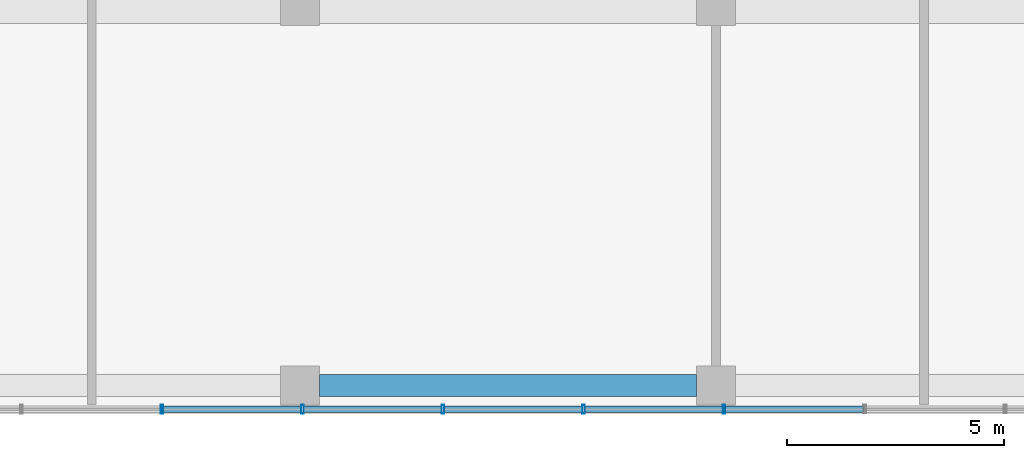
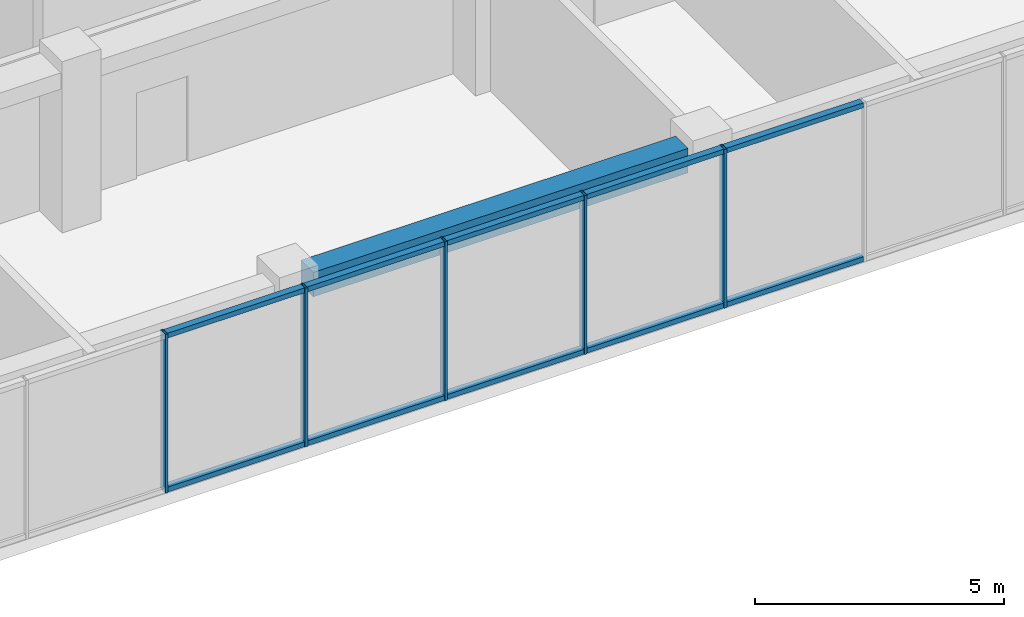
# One storey, part 4 of 36: 15 members, 1 beam, 1 element without a shape of its own.
"""IFC4 building model written with IfcOpenShell, lengths in metres."""

import ifcopenshell
import ifcopenshell.guid

model = None  # the IFC model being written
_history = None  # IfcOwnerHistory: only IFC2X3 demands one
_inside = {}  # id of a spatial element -> (the spatial element, [elements in it])
_under = {}  # id of a project, library or spatial element -> (it, [spatial elements below it])
_declared = {}  # id of a project -> (the project, [libraries it declares])
_typed = {}  # id of a type object -> (the type object, [elements of that type])
_made_of = {}  # id of a material, layer set ... -> (it, [elements and type objects made of it])


def new_model(schema):
    """Start an empty IFC model of exactly this schema.

    Asked for "IFC4X3", IfcOpenShell would pick the latest addendum, in which some entities
    have other attributes; the version numbers below select the first issue.
    IFC2X3 requires an IfcOwnerHistory on every rooted entity: one is made here for all.
    """
    global model, _history
    if schema == "IFC4X3":
        model = ifcopenshell.file(schema_version=(4, 3, 0, 0))
    else:
        model = ifcopenshell.file(schema=schema)
    _inside.clear()
    _under.clear()
    _declared.clear()
    _typed.clear()
    _made_of.clear()
    _history = None
    if model.schema == "IFC2X3":
        org = make("IfcOrganization", Name="unknown")
        user = make(
            "IfcPersonAndOrganization",
            ThePerson=make("IfcPerson", FamilyName="unknown"),
            TheOrganization=org,
        )
        app = make(
            "IfcApplication",
            ApplicationDeveloper=org,
            Version="unknown",
            ApplicationFullName="unknown",
            ApplicationIdentifier="unknown",
        )
        _history = make(
            "IfcOwnerHistory",
            OwningUser=user,
            OwningApplication=app,
            ChangeAction="ADDED",
            CreationDate=0,
        )
    return model


def make(cls, **values):
    """One entity of the class cls with the attributes given. An attribute that is None is left unset."""
    return model.create_entity(
        cls, **{name: value for name, value in values.items() if value is not None}
    )


def rooted(cls, **values):
    """An entity with a GlobalId (a new one), such as an element, a storey or a relation."""
    return make(cls, GlobalId=ifcopenshell.guid.new(), OwnerHistory=_history, **values)


def si_unit(unit_type, name, prefix=None):
    """IfcSIUnit, for example si_unit("LENGTHUNIT", "METRE", prefix="MILLI")."""
    return make("IfcSIUnit", UnitType=unit_type, Prefix=prefix, Name=name)


def assignment(units):
    """IfcUnitAssignment: the units of a project."""
    return None if units is None else make("IfcUnitAssignment", Units=units)


def point(xyz):
    """IfcCartesianPoint."""
    return None if xyz is None else make("IfcCartesianPoint", Coordinates=xyz)


def direction(xyz):
    """IfcDirection."""
    return None if xyz is None else make("IfcDirection", DirectionRatios=xyz)


def frame(location, z_axis=None, x_axis=None):
    """IfcAxis2Placement3D, a coordinate frame: its origin and axes. An axis left out is left unset."""
    return make(
        "IfcAxis2Placement3D",
        Location=point(location),
        Axis=direction(z_axis),
        RefDirection=direction(x_axis),
    )


def frame_2d(location, x_axis=None):
    """IfcAxis2Placement2D, a coordinate frame in the plane: its origin and x axis."""
    return make(
        "IfcAxis2Placement2D", Location=point(location), RefDirection=direction(x_axis)
    )


def origin():
    """The frame at (0, 0, 0) with its axes left unset."""
    return frame((0.0, 0.0, 0.0))


def origin_2d():
    """The frame at (0, 0) in the plane with its x axis left unset."""
    return frame_2d((0.0, 0.0))


def place(relative_to, where):
    """IfcLocalPlacement: puts the frame where relative to a parent placement (None: the world)."""
    return make(
        "IfcLocalPlacement", PlacementRelTo=relative_to, RelativePlacement=where
    )


def context(
    kind, dimensions, precision=None, world=None, true_north=None, identifier=None
):
    """IfcGeometricRepresentationContext, for example the 3D "Model" context."""
    return make(
        "IfcGeometricRepresentationContext",
        ContextIdentifier=identifier,
        ContextType=kind,
        CoordinateSpaceDimension=dimensions,
        Precision=precision,
        WorldCoordinateSystem=world,
        TrueNorth=true_north,
    )


def subcontext(parent, identifier, kind, view, scale=None):
    """IfcGeometricRepresentationSubContext, for example "Body" below "Model"."""
    return make(
        "IfcGeometricRepresentationSubContext",
        ContextIdentifier=identifier,
        ContextType=kind,
        ParentContext=parent,
        TargetScale=scale,
        TargetView=view,
    )


def project(units=None, contexts=None):
    """IfcProject with its units and contexts."""
    return rooted(
        "IfcProject",
        Name="project",
        RepresentationContexts=contexts,
        UnitsInContext=assignment(units),
    )


def spatial(cls, under=None, at=None, **own):
    """A site, building, storey or space (cls), placed at a placement, below another one or the project."""
    s = rooted(cls, ObjectPlacement=at, **own)
    if under is not None:
        _under.setdefault(under.id(), (under, []))[1].append(s)
    return s


def profile(cls, at=None, kind="AREA", **sizes):
    """A parametric profile (cls). Its sizes go by their IFC names, for example OverallWidth=200.0."""
    return make(cls, ProfileType=kind, Position=at, **sizes)


def rectangle(**sizes):
    """IfcRectangleProfileDef."""
    return profile("IfcRectangleProfileDef", **sizes)


def hollow_rectangle(**sizes):
    """IfcRectangleHollowProfileDef."""
    return profile("IfcRectangleHollowProfileDef", **sizes)


def extrude(swept, where, along, depth):
    """IfcExtrudedAreaSolid: the profile swept, set in the frame where, extruded along a direction by depth."""
    return make(
        "IfcExtrudedAreaSolid",
        SweptArea=swept,
        Position=where,
        ExtrudedDirection=direction(along),
        Depth=depth,
    )


def shape(context_of_items, identifier, shape_type, items):
    """IfcShapeRepresentation: the items that make up one representation, for example the "Body"."""
    return make(
        "IfcShapeRepresentation",
        ContextOfItems=context_of_items,
        RepresentationIdentifier=identifier,
        RepresentationType=shape_type,
        Items=items,
    )


def material(Name=None, Category=None):
    """IfcMaterial."""
    return make("IfcMaterial", Name=Name, Category=Category)


def layer(
    of_material, thickness, ventilated=None, Name=None, Category=None, Priority=None
):
    """IfcMaterialLayer: one layer of a wall or slab, of a material (None: an air gap)."""
    return make(
        "IfcMaterialLayer",
        Material=of_material,
        LayerThickness=thickness,
        IsVentilated=ventilated,
        Name=Name,
        Category=Category,
        Priority=Priority,
    )


def layer_set(layers, Name=None):
    """IfcMaterialLayerSet."""
    return make("IfcMaterialLayerSet", MaterialLayers=layers, LayerSetName=Name)


def material_profile(
    of_material, cross_section, Name=None, Category=None, Priority=None
):
    """IfcMaterialProfile: a cross section and its material."""
    return make(
        "IfcMaterialProfile",
        Name=Name,
        Material=of_material,
        Profile=cross_section,
        Priority=Priority,
        Category=Category,
    )


def profile_set(profiles, Name=None, composite=None):
    """IfcMaterialProfileSet."""
    return make(
        "IfcMaterialProfileSet",
        Name=Name,
        MaterialProfiles=profiles,
        CompositeProfile=composite,
    )


def made_of(thing, what):
    """Note that an element or type object is made of a material, layer set ...; save() writes the relation."""
    if what is not None:
        _made_of.setdefault(what.id(), (what, []))[1].append(thing)
    return thing


def type_object(cls, material=None, **own):
    """A type object (cls), such as IfcWallType, which elements share."""
    return made_of(rooted(cls, **own), material)


def element(
    cls,
    number,
    at=None,
    inside=None,
    cuts=None,
    type_object=None,
    material=None,
    context=None,
    identifier="Body",
    shape_type=None,
    held_by="IfcProductDefinitionShape",
    body=None,
    shapes=None,
    **own,
):
    """One element of the class cls, such as IfcWall. Its Tag is "e" and its number.

    at: its placement. inside: the storey or other place that contains it. cuts: it is an
    opening in that element (IfcRelVoidsElement). A single representation is given by context,
    identifier, shape_type and body (its items); several are given by shapes. held_by: the class
    of the entity that holds the representations. save() writes the other relations.
    """
    e = rooted(cls, Tag="e%d" % number, ObjectPlacement=at, **own)
    if body is not None:
        shapes = [shape(context, identifier, shape_type, body)]
    if shapes is not None:
        e.Representation = make(held_by, Representations=shapes)
    if inside is not None:
        _inside.setdefault(inside.id(), (inside, []))[1].append(e)
    if cuts is not None:
        rooted(
            "IfcRelVoidsElement", RelatingBuildingElement=cuts, RelatedOpeningElement=e
        )
    if type_object is not None:
        _typed.setdefault(type_object.id(), (type_object, []))[1].append(e)
    return made_of(e, material)


def aggregate(whole, parts):
    """IfcRelAggregates: a whole, such as a stair, and the parts it consists of."""
    return rooted("IfcRelAggregates", RelatingObject=whole, RelatedObjects=parts)


def save(model, path):
    """Write the relations noted so far, then the file.

    IfcRelAggregates (storeys below a building ...), IfcRelContainedInSpatialStructure (elements
    in a storey), IfcRelDefinesByType, IfcRelAssociatesMaterial and IfcRelDeclares: one each for
    every whole, place, type object, material and project.
    """
    for whole, parts in _under.values():
        aggregate(whole, parts)
    for where, things in _inside.values():
        rooted(
            "IfcRelContainedInSpatialStructure",
            RelatedElements=things,
            RelatingStructure=where,
        )
    for kind, things in _typed.values():
        rooted("IfcRelDefinesByType", RelatedObjects=things, RelatingType=kind)
    for what, things in _made_of.values():
        rooted("IfcRelAssociatesMaterial", RelatedObjects=things, RelatingMaterial=what)
    for by, libraries in _declared.values():
        rooted("IfcRelDeclares", RelatingContext=by, RelatedDefinitions=libraries)
    model.write(path)


model = new_model("IFC4")

# Units and contexts
model_context = context("Model", 3, precision=1e-05, world=origin(), true_north=direction((0.0, 1.0)))
body_context = subcontext(model_context, "Body", "Model", "MODEL_VIEW")
ifc_project = project(units=[si_unit("LENGTHUNIT", "METRE"), si_unit("AREAUNIT", "SQUARE_METRE"), si_unit("VOLUMEUNIT", "CUBIC_METRE"), si_unit("PLANEANGLEUNIT", "RADIAN"), si_unit("MASSUNIT", "GRAM", prefix="KILO")], contexts=[model_context])

# Site, building, storey
site_placement = place(None, origin())
site = spatial("IfcSite", under=ifc_project, at=site_placement, CompositionType="ELEMENT")
building_placement = place(site_placement, origin())
building = spatial("IfcBuilding", under=site, at=building_placement, Name="Nzadi Deep Aquarium and Research Tower", CompositionType="ELEMENT")
storey_placement = place(building_placement, frame((0.0, 0.0, 40.300048828125)))
storey = spatial("IfcBuildingStorey", under=building, at=storey_placement, Name="L07", CompositionType="ELEMENT", Elevation=40.300048828125)

# Curtain wall, members
ifc_material_1 = material(Name="Aluminium unitised frame", Category="aluminium")
ifc_layer = layer(ifc_material_1, 0.199951171875)
ifc_layer_set = layer_set([ifc_layer], Name="Aluminium unitised frame")
curtain_wall_type = type_object("IfcCurtainWallType", Name="Curtain wall Unitised 200", PredefinedType="NOTDEFINED", material=ifc_layer_set)
curtain_wall_placement = place(storey_placement, origin())
curtain_wall = element("IfcCurtainWall", 1, at=curtain_wall_placement, inside=storey, type_object=curtain_wall_type, Name="Unitised curtain wall blade A south L07", PredefinedType="NOTDEFINED")
ifc_material_2 = material(Name="Aluminium unitised frame", Category="aluminium")
ifc_material_profile_1 = material_profile(ifc_material_2, hollow_rectangle(XDim=0.199951171875, YDim=0.06005859375, WallThickness=0.0048828125, at=origin_2d()))
ifc_profile_set_1 = profile_set([ifc_material_profile_1], Name="Aluminium unitised frame")
member_type_1 = type_object("IfcMemberType", Name="Mullion 60x200 Unitised", PredefinedType="MULLION", material=ifc_profile_set_1)
member_1_placement = place(storey_placement, frame((16.0166015625, -0.10009765625, 0.0), z_axis=(0.0, 0.0, 1.0), x_axis=(0.0, 1.0, 0.0)))
member_1 = element("IfcMember", 2, at=member_1_placement, type_object=member_type_1, Name="CW015 mullion 6", PredefinedType="MULLION", context=body_context, shape_type="SweptSolid", body=[
    extrude(hollow_rectangle(XDim=0.199951171875, YDim=0.06005859375, WallThickness=0.0048828125, at=origin_2d()), origin(), (0.0, 0.0, 1.0), 3.89990234375),
])
member_2_placement = place(storey_placement, frame((19.260009765625, -0.10009765625, 0.0), z_axis=(0.0, 0.0, 1.0), x_axis=(0.0, 1.0, 0.0)))
member_2 = element("IfcMember", 3, at=member_2_placement, type_object=member_type_1, Name="CW015 mullion 7", PredefinedType="MULLION", context=body_context, shape_type="SweptSolid", body=[
    extrude(hollow_rectangle(XDim=0.199951171875, YDim=0.06005859375, WallThickness=0.0048828125, at=origin_2d()), origin(), (0.0, 0.0, 1.0), 3.89990234375),
])
member_3_placement = place(storey_placement, frame((22.50341796875, -0.10009765625, 0.0), z_axis=(0.0, 0.0, 1.0), x_axis=(0.0, 1.0, 0.0)))
member_3 = element("IfcMember", 4, at=member_3_placement, type_object=member_type_1, Name="CW015 mullion 8", PredefinedType="MULLION", context=body_context, shape_type="SweptSolid", body=[
    extrude(hollow_rectangle(XDim=0.199951171875, YDim=0.06005859375, WallThickness=0.0048828125, at=origin_2d()), origin(), (0.0, 0.0, 1.0), 3.89990234375),
])
member_4_placement = place(storey_placement, frame((25.74658203125, -0.10009765625, 0.0), z_axis=(0.0, 0.0, 1.0), x_axis=(0.0, 1.0, 0.0)))
member_4 = element("IfcMember", 5, at=member_4_placement, type_object=member_type_1, Name="CW015 mullion 9", PredefinedType="MULLION", context=body_context, shape_type="SweptSolid", body=[
    extrude(hollow_rectangle(XDim=0.199951171875, YDim=0.06005859375, WallThickness=0.0048828125, at=origin_2d()), origin(), (0.0, 0.0, 1.0), 3.89990234375),
])
member_5_placement = place(storey_placement, frame((28.989990234375, -0.10009765625, 0.0), z_axis=(0.0, 0.0, 1.0), x_axis=(0.0, 1.0, 0.0)))
member_5 = element("IfcMember", 6, at=member_5_placement, type_object=member_type_1, Name="CW015 mullion 10", PredefinedType="MULLION", context=body_context, shape_type="SweptSolid", body=[
    extrude(hollow_rectangle(XDim=0.199951171875, YDim=0.06005859375, WallThickness=0.0048828125, at=origin_2d()), origin(), (0.0, 0.0, 1.0), 3.89990234375),
])

# Beam
ifc_material_3 = material(Name="Concrete C35/45", Category="concrete")
ifc_material_profile_2 = material_profile(ifc_material_3, rectangle(XDim=0.5, YDim=0.60009765625, at=origin_2d()))
ifc_profile_set_2 = profile_set([ifc_material_profile_2], Name="Concrete C35/45")
beam_type = type_object("IfcBeamType", Name="RC 500x600", PredefinedType="BEAM", material=ifc_profile_set_2)
beam_placement = place(storey_placement, frame((19.64990234375, 0.449951171875, 3.599853515625), z_axis=(1.0, 0.0, 0.0), x_axis=(0.0, 1.0, 0.0)))
element("IfcBeam", 7, at=beam_placement, inside=storey, type_object=beam_type, Name="B-Z1-L07-L1-3", PredefinedType="BEAM", context=body_context, shape_type="SweptSolid", body=[
    extrude(rectangle(XDim=0.5, YDim=0.60009765625, at=origin_2d()), origin(), (0.0, 0.0, 1.0), 8.7001953125),
])

# Member
ifc_material_4 = material(Name="Aluminium unitised frame", Category="aluminium")
ifc_material_profile_3 = material_profile(ifc_material_4, hollow_rectangle(XDim=0.159912109375, YDim=0.1201171875, WallThickness=0.0048828125, at=origin_2d()))
ifc_profile_set_3 = profile_set([ifc_material_profile_3], Name="Aluminium unitised frame")
member_type_2 = type_object("IfcMemberType", Name="Transom 120x160 Unitised", PredefinedType="MULLION", material=ifc_profile_set_3)
member_6_placement = place(storey_placement, frame((16.046630859375, -0.10009765625, 0.06005859375), z_axis=(1.0, 0.0, 0.0), x_axis=(0.0, 1.0, 0.0)))
member_6 = element("IfcMember", 8, at=member_6_placement, type_object=member_type_2, Name="CW015 transom 6.1", PredefinedType="MULLION", context=body_context, shape_type="SweptSolid", body=[
    extrude(hollow_rectangle(XDim=0.159912109375, YDim=0.1201171875, WallThickness=0.0048828125, at=origin_2d()), origin(), (0.0, 0.0, 1.0), 3.183349609375),
])

member_7_placement = place(storey_placement, frame((16.046630859375, -0.10009765625, 3.83984375), z_axis=(1.0, 0.0, 0.0), x_axis=(0.0, 1.0, 0.0)))
member_7 = element("IfcMember", 9, at=member_7_placement, type_object=member_type_2, Name="CW015 transom 6.2", PredefinedType="MULLION", context=body_context, shape_type="SweptSolid", body=[
    extrude(hollow_rectangle(XDim=0.159912109375, YDim=0.1201171875, WallThickness=0.0048828125, at=origin_2d()), origin(), (0.0, 0.0, 1.0), 3.183349609375),
])

member_8_placement = place(storey_placement, frame((19.2900390625, -0.10009765625, 0.06005859375), z_axis=(1.0, 0.0, 0.0), x_axis=(0.0, 1.0, 0.0)))
member_8 = element("IfcMember", 10, at=member_8_placement, type_object=member_type_2, Name="CW015 transom 7.1", PredefinedType="MULLION", context=body_context, shape_type="SweptSolid", body=[
    extrude(hollow_rectangle(XDim=0.159912109375, YDim=0.1201171875, WallThickness=0.0048828125, at=origin_2d()), origin(), (0.0, 0.0, 1.0), 3.183349609375),
])

member_9_placement = place(storey_placement, frame((19.2900390625, -0.10009765625, 3.83984375), z_axis=(1.0, 0.0, 0.0), x_axis=(0.0, 1.0, 0.0)))
member_9 = element("IfcMember", 11, at=member_9_placement, type_object=member_type_2, Name="CW015 transom 7.2", PredefinedType="MULLION", context=body_context, shape_type="SweptSolid", body=[
    extrude(hollow_rectangle(XDim=0.159912109375, YDim=0.1201171875, WallThickness=0.0048828125, at=origin_2d()), origin(), (0.0, 0.0, 1.0), 3.183349609375),
])

member_10_placement = place(storey_placement, frame((22.533447265625, -0.10009765625, 0.06005859375), z_axis=(1.0, 0.0, 0.0), x_axis=(0.0, 1.0, 0.0)))
member_10 = element("IfcMember", 12, at=member_10_placement, type_object=member_type_2, Name="CW015 transom 8.1", PredefinedType="MULLION", context=body_context, shape_type="SweptSolid", body=[
    extrude(hollow_rectangle(XDim=0.159912109375, YDim=0.1201171875, WallThickness=0.0048828125, at=origin_2d()), origin(), (0.0, 0.0, 1.0), 3.18310546875),
])

member_11_placement = place(storey_placement, frame((22.533447265625, -0.10009765625, 3.83984375), z_axis=(1.0, 0.0, 0.0), x_axis=(0.0, 1.0, 0.0)))
member_11 = element("IfcMember", 13, at=member_11_placement, type_object=member_type_2, Name="CW015 transom 8.2", PredefinedType="MULLION", context=body_context, shape_type="SweptSolid", body=[
    extrude(hollow_rectangle(XDim=0.159912109375, YDim=0.1201171875, WallThickness=0.0048828125, at=origin_2d()), origin(), (0.0, 0.0, 1.0), 3.18310546875),
])

member_12_placement = place(storey_placement, frame((25.776611328125, -0.10009765625, 0.06005859375), z_axis=(1.0, 0.0, 0.0), x_axis=(0.0, 1.0, 0.0)))
member_12 = element("IfcMember", 14, at=member_12_placement, type_object=member_type_2, Name="CW015 transom 9.1", PredefinedType="MULLION", context=body_context, shape_type="SweptSolid", body=[
    extrude(hollow_rectangle(XDim=0.159912109375, YDim=0.1201171875, WallThickness=0.0048828125, at=origin_2d()), origin(), (0.0, 0.0, 1.0), 3.183349609375),
])

member_13_placement = place(storey_placement, frame((25.776611328125, -0.10009765625, 3.83984375), z_axis=(1.0, 0.0, 0.0), x_axis=(0.0, 1.0, 0.0)))
member_13 = element("IfcMember", 15, at=member_13_placement, type_object=member_type_2, Name="CW015 transom 9.2", PredefinedType="MULLION", context=body_context, shape_type="SweptSolid", body=[
    extrude(hollow_rectangle(XDim=0.159912109375, YDim=0.1201171875, WallThickness=0.0048828125, at=origin_2d()), origin(), (0.0, 0.0, 1.0), 3.183349609375),
])

member_14_placement = place(storey_placement, frame((29.02001953125, -0.10009765625, 0.06005859375), z_axis=(1.0, 0.0, 0.0), x_axis=(0.0, 1.0, 0.0)))
member_14 = element("IfcMember", 16, at=member_14_placement, type_object=member_type_2, Name="CW015 transom 10.1", PredefinedType="MULLION", context=body_context, shape_type="SweptSolid", body=[
    extrude(hollow_rectangle(XDim=0.159912109375, YDim=0.1201171875, WallThickness=0.0048828125, at=origin_2d()), origin(), (0.0, 0.0, 1.0), 3.183349609375),
])

member_15_placement = place(storey_placement, frame((29.02001953125, -0.10009765625, 3.83984375), z_axis=(1.0, 0.0, 0.0), x_axis=(0.0, 1.0, 0.0)))
member_15 = element("IfcMember", 17, at=member_15_placement, type_object=member_type_2, Name="CW015 transom 10.2", PredefinedType="MULLION", context=body_context, shape_type="SweptSolid", body=[
    extrude(hollow_rectangle(XDim=0.159912109375, YDim=0.1201171875, WallThickness=0.0048828125, at=origin_2d()), origin(), (0.0, 0.0, 1.0), 3.183349609375),
])

aggregate(curtain_wall, [member_1, member_2, member_3, member_4, member_5, member_6, member_7, member_8, member_9, member_10, member_11, member_12, member_13, member_14, member_15])

save(model, "model.ifc")
